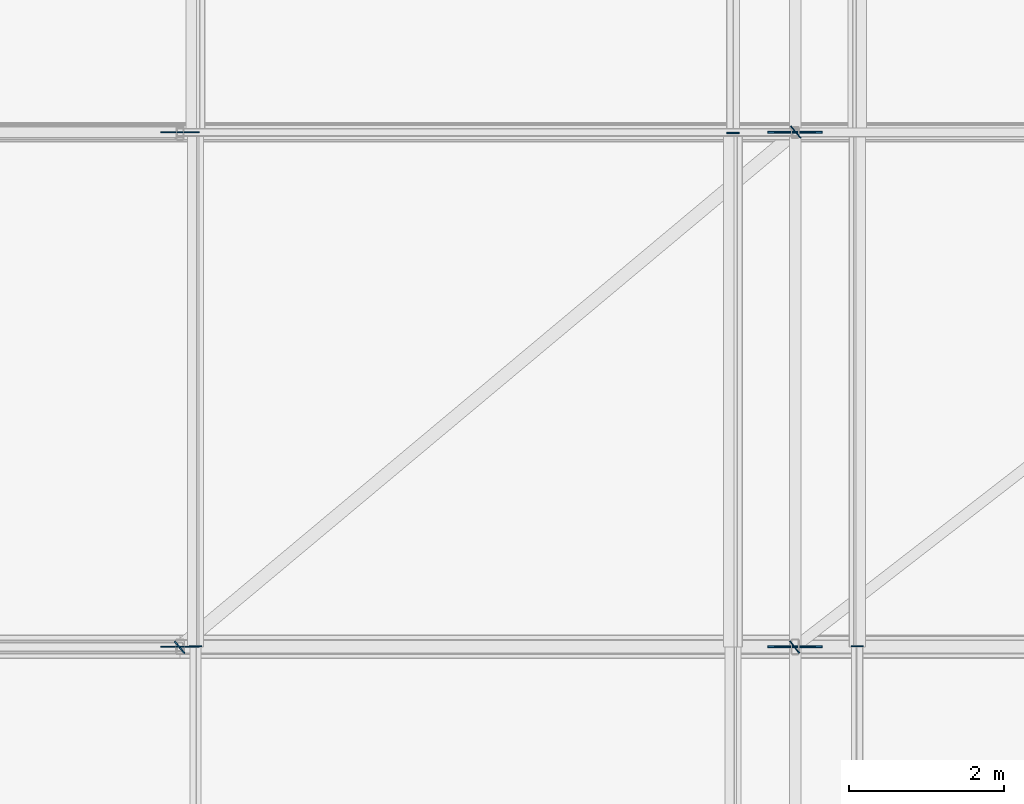
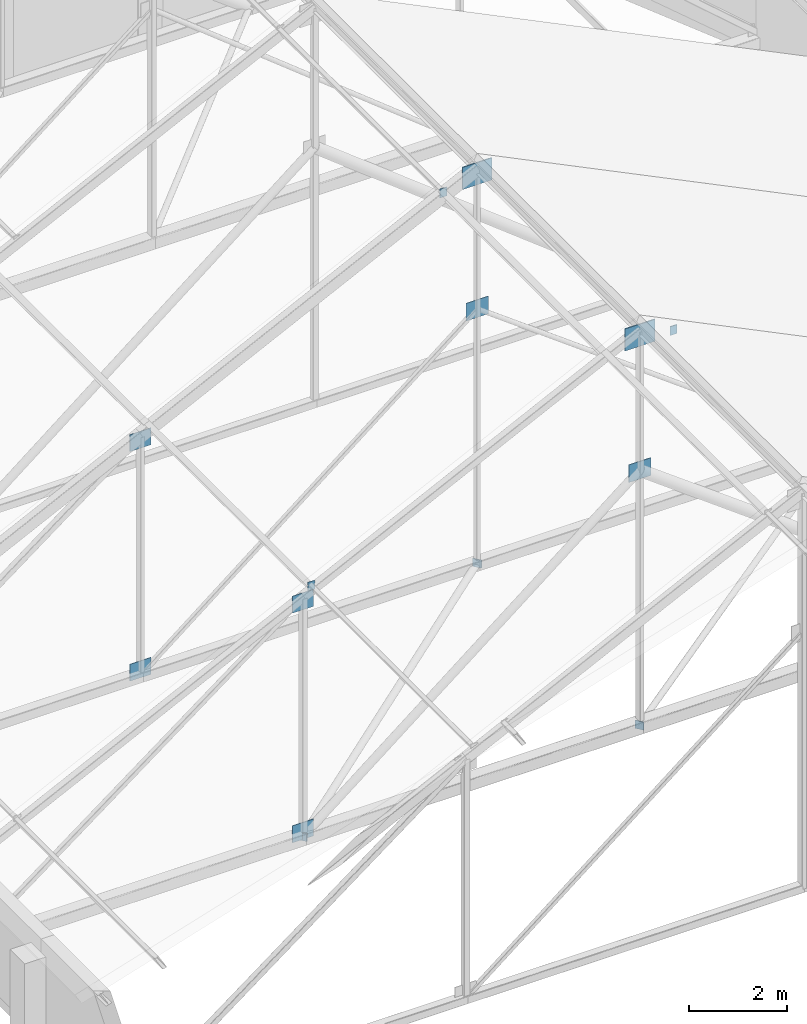
# One storey, part 54 of 78: 14 plates.
"""IFC4 building model written with IfcOpenShell, lengths in metres."""

from ifc_helpers import new_model, si_unit, direction, frame, origin, origin_2d, place, context, subcontext, project, spatial, rectangle, extrude, material, layer, layer_set, type_object, element, save


model = new_model("IFC4")

# Units and contexts
model_context = context("Model", 3, precision=1e-05, world=origin(), true_north=direction((0.0, 1.0)))
body_context = subcontext(model_context, "Body", "Model", "MODEL_VIEW")
ifc_project = project(units=[si_unit("LENGTHUNIT", "METRE"), si_unit("AREAUNIT", "SQUARE_METRE"), si_unit("VOLUMEUNIT", "CUBIC_METRE"), si_unit("PLANEANGLEUNIT", "RADIAN"), si_unit("MASSUNIT", "GRAM", prefix="KILO")], contexts=[model_context])

# Site, building, storey
site_placement = place(None, origin())
site = spatial("IfcSite", under=ifc_project, at=site_placement, CompositionType="ELEMENT")
building_placement = place(site_placement, origin())
building = spatial("IfcBuilding", under=site, at=building_placement, Name="Kelanivale Promenade Academy", CompositionType="ELEMENT")
storey_placement = place(building_placement, frame((0.0, 0.0, 16.199951171875)))
storey = spatial("IfcBuildingStorey", under=building, at=storey_placement, Name="L04", CompositionType="ELEMENT", Elevation=16.199951171875)

# Plates
ifc_material = material(Name="Steel S355", Category="steel")
ifc_layer_1 = layer(ifc_material, 0.01611328125)
ifc_layer_set_1 = layer_set([ifc_layer_1], Name="Steel S355")
plate_type_1 = type_object("IfcPlateType", Name="TN-CP16 Plate 16mm", PredefinedType="USERDEFINED", material=ifc_layer_set_1)
for number, where, z_axis, x_axis, name in (
    (1, (131.47509765625, 52.89404296875, 6.2509765625), (0.0, 0.0, 1.0), (0.0, 1.0, 0.0), "ROOF TRUSS TN-4 hollow-section end cap plate"),
    (2, (140.0, 52.89404296875, 9.63330078125), (0.0, 0.0, 1.0), (0.0, 1.0, 0.0), "ROOF TRUSS TN-4 hollow-section end cap plate"),
):
    element("IfcPlate", number, at=place(storey_placement, frame(where, z_axis=z_axis, x_axis=x_axis)), inside=storey, type_object=plate_type_1, Name=name, ObjectType="CAP PLATE", PredefinedType="USERDEFINED", context=body_context, shape_type="SweptSolid", body=[
        extrude(rectangle(XDim=0.01611328125, YDim=0.159912109375, at=origin_2d()), origin(), (0.0, 0.0, 1.0), 0.219970703125),
    ])
for number, where, z_axis, x_axis, name in (
    (3, (131.26904296875, 52.881103515625, 0.10009765625), (0.0, 0.0, 1.0), (-0.767053186051, -0.641583517377, 0.0), "ROOF TRUSS TN-3 hollow-section end cap plate"),
    (4, (139.2060546875, 59.51904296875, 0.10009765625), (0.0, 0.0, 1.0), (0.767053186051, 0.641583517377, 0.0), "ROOF TRUSS TN-3 hollow-section end cap plate"),
    (5, (139.194091796875, 52.881103515625, 0.10009765625), (0.0, 0.0, 1.0), (-0.790261972801, -0.612769136253, 0.0), "ROOF TRUSS TN-3 hollow-section end cap plate"),
):
    element("IfcPlate", number, at=place(storey_placement, frame(where, z_axis=z_axis, x_axis=x_axis)), inside=storey, type_object=plate_type_1, Name=name, ObjectType="CAP PLATE", PredefinedType="USERDEFINED", context=body_context, shape_type="SweptSolid", body=[
        extrude(rectangle(XDim=0.01611328125, YDim=0.199951171875, at=origin_2d()), origin(), (0.0, 0.0, 1.0), 0.199951171875),
    ])
plate_1_placement = place(storey_placement, frame((138.39990234375, 59.506103515625, 9.60498046875), z_axis=(0.0, 0.0, 1.0), x_axis=(0.0, -1.0, 0.0)))
element("IfcPlate", 6, at=plate_1_placement, inside=storey, type_object=plate_type_1, Name="ROOF TRUSS TN-4 hollow-section end cap plate", ObjectType="CAP PLATE", PredefinedType="USERDEFINED", context=body_context, shape_type="SweptSolid", body=[
    extrude(rectangle(XDim=0.01611328125, YDim=0.159912109375, at=origin_2d()), origin(), (0.0, 0.0, 1.0), 0.219970703125),
])
ifc_layer_2 = layer(ifc_material, 0.01611328125)
ifc_layer_set_2 = layer_set([ifc_layer_2], Name="Steel S355")
plate_type_2 = type_object("IfcPlateType", Name="TN-GP16 Plate 16mm", PredefinedType="USERDEFINED", material=ifc_layer_set_2)
plate_2_placement = place(storey_placement, frame((139.199951171875, 52.885986328125, 6.320068359375), z_axis=(0.0, 0.0, 1.0), x_axis=(1.0, 0.0, 0.0)))
element("IfcPlate", 7, at=plate_2_placement, inside=storey, type_object=plate_type_2, Name="ROOF TRUSS TN-2D welded node gusset plate", ObjectType="GUSSET PLATE", PredefinedType="USERDEFINED", context=body_context, shape_type="SweptSolid", body=[
    extrude(rectangle(XDim=0.52001953125, YDim=0.01611328125, at=origin_2d()), origin(), (0.0, 0.0, 1.0), 0.43994140625),
])
for number, where, z_axis, x_axis, name in (
    (8, (131.27490234375, 52.885986328125, 0.130126953125), (0.0, 0.0, 1.0), (1.0, 0.0, 0.0), "ROOF TRUSS TN-3 welded node gusset plate"),
    (9, (131.27490234375, 52.885986328125, 5.842041015625), (0.0, 0.0, 1.0), (1.0, 0.0, 0.0), "ROOF TRUSS TN-4 welded node gusset plate"),
):
    element("IfcPlate", number, at=place(storey_placement, frame(where, z_axis=z_axis, x_axis=x_axis)), inside=storey, type_object=plate_type_2, Name=name, ObjectType="GUSSET PLATE", PredefinedType="USERDEFINED", context=body_context, shape_type="SweptSolid", body=[
        extrude(rectangle(XDim=0.5, YDim=0.01611328125, at=origin_2d()), origin(), (0.0, 0.0, 1.0), 0.419921875),
    ])
plate_3_placement = place(storey_placement, frame((139.199951171875, 59.513916015625, 6.320068359375), z_axis=(0.0, 0.0, 1.0), x_axis=(1.0, 0.0, 0.0)))
element("IfcPlate", 10, at=plate_3_placement, inside=storey, type_object=plate_type_2, Name="ROOF TRUSS TN-2D welded node gusset plate", ObjectType="GUSSET PLATE", PredefinedType="USERDEFINED", context=body_context, shape_type="SweptSolid", body=[
    extrude(rectangle(XDim=0.52001953125, YDim=0.01611328125, at=origin_2d()), origin(), (0.0, 0.0, 1.0), 0.43994140625),
])
for number, where, z_axis, x_axis, name in (
    (11, (131.27490234375, 59.513916015625, 0.130126953125), (0.0, 0.0, 1.0), (1.0, 0.0, 0.0), "ROOF TRUSS TN-3 welded node gusset plate"),
    (12, (131.27490234375, 59.513916015625, 5.842041015625), (0.0, 0.0, 1.0), (1.0, 0.0, 0.0), "ROOF TRUSS TN-4 welded node gusset plate"),
):
    element("IfcPlate", number, at=place(storey_placement, frame(where, z_axis=z_axis, x_axis=x_axis)), inside=storey, type_object=plate_type_2, Name=name, ObjectType="GUSSET PLATE", PredefinedType="USERDEFINED", context=body_context, shape_type="SweptSolid", body=[
        extrude(rectangle(XDim=0.5, YDim=0.01611328125, at=origin_2d()), origin(), (0.0, 0.0, 1.0), 0.419921875),
    ])
ifc_layer_3 = layer(ifc_material, 0.02490234375)
ifc_layer_set_3 = layer_set([ifc_layer_3], Name="Steel S355")
plate_type_3 = type_object("IfcPlateType", Name="TN-GP25 Plate 25mm", PredefinedType="USERDEFINED", material=ifc_layer_set_3)
for number, where, z_axis, x_axis, name in (
    (13, (139.199951171875, 52.885986328125, 9.626953125), (0.0, 0.0, 1.0), (1.0, 0.0, 0.0), "ROOF TRUSS TN-2 welded node gusset plate"),
    (14, (139.199951171875, 59.513916015625, 9.626953125), (0.0, 0.0, 1.0), (1.0, 0.0, 0.0), "ROOF TRUSS TN-2 welded node gusset plate"),
):
    element("IfcPlate", number, at=place(storey_placement, frame(where, z_axis=z_axis, x_axis=x_axis)), inside=storey, type_object=plate_type_3, Name=name, ObjectType="GUSSET PLATE", PredefinedType="USERDEFINED", context=body_context, shape_type="SweptSolid", body=[
        extrude(rectangle(XDim=0.699951171875, YDim=0.02490234375, at=origin_2d()), origin(), (0.0, 0.0, 1.0), 0.550048828125),
    ])

save(model, "model.ifc")
